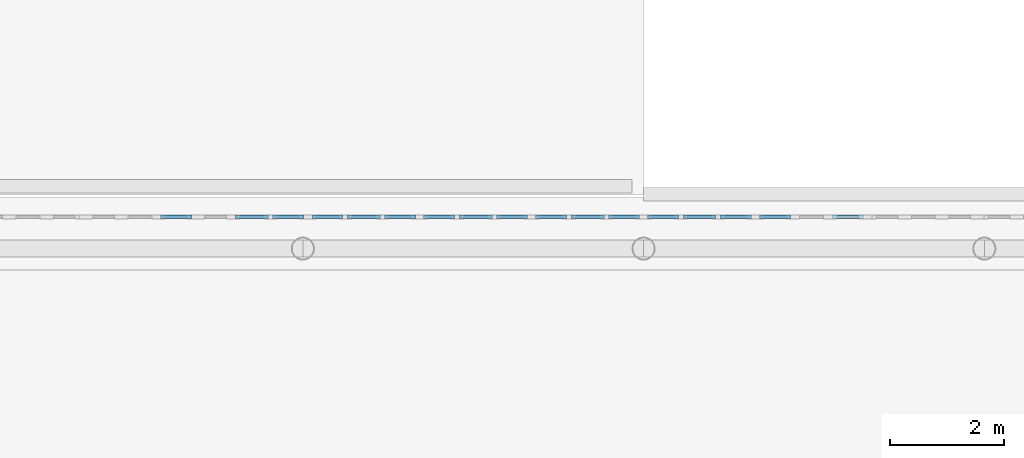
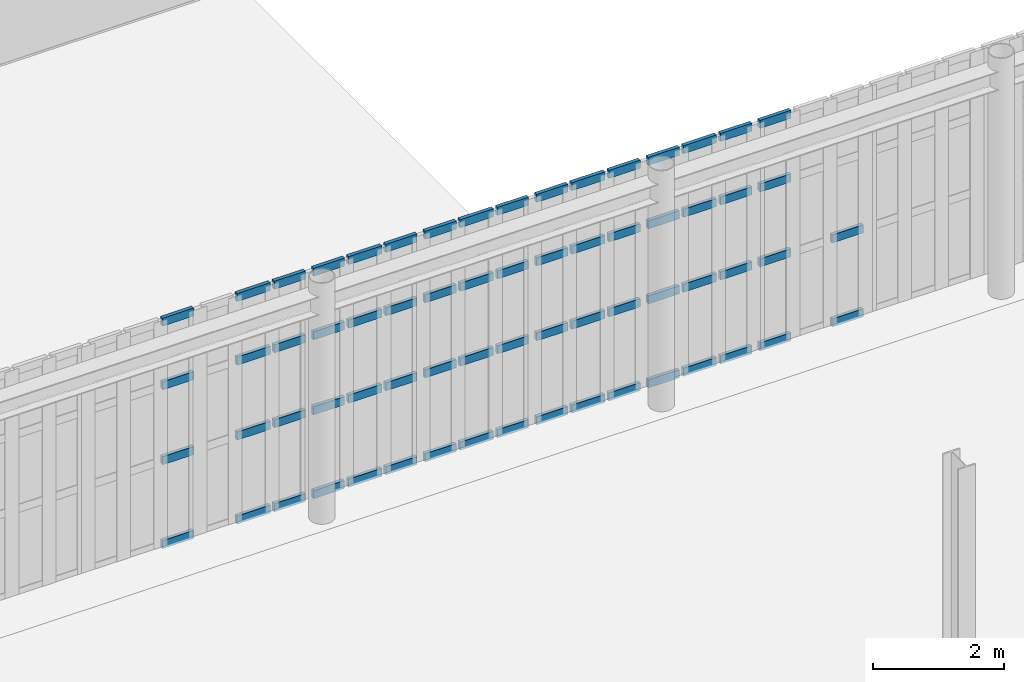
# One storey, part 41 of 91: 66 members, 7 elements without a shape of their own.
"""IFC4 building model written with IfcOpenShell, lengths in metres."""

from ifc_helpers import new_model, si_unit, direction, frame, origin, origin_2d, place, context, subcontext, project, spatial, rectangle, extrude, material, material_profile, profile_set, type_object, element, aggregate, save


model = new_model("IFC4")

# Units and contexts
model_context = context("Model", 3, precision=1e-05, world=origin(), true_north=direction((0.0, 1.0)))
body_context = subcontext(model_context, "Body", "Model", "MODEL_VIEW")
ifc_project = project(units=[si_unit("LENGTHUNIT", "METRE"), si_unit("AREAUNIT", "SQUARE_METRE"), si_unit("VOLUMEUNIT", "CUBIC_METRE"), si_unit("PLANEANGLEUNIT", "RADIAN"), si_unit("MASSUNIT", "GRAM", prefix="KILO")], contexts=[model_context])

# Site, building, storey
site_placement = place(None, origin())
site = spatial("IfcSite", under=ifc_project, at=site_placement, CompositionType="ELEMENT")
building_placement = place(site_placement, origin())
building = spatial("IfcBuilding", under=site, at=building_placement, Name="Kolvaren Corner Interchange", CompositionType="ELEMENT")
storey_placement = place(building_placement, frame((0.0, 0.0, 6.0)))
storey = spatial("IfcBuildingStorey", under=building, at=storey_placement, Name="L02", CompositionType="ELEMENT", Elevation=6.0)

# Curtain wall, members
ifc_material_1 = material(Name="Unitised Aluminium and Solar-Control Glass Curtain Wall", Category="aluminium")
curtain_wall_type = type_object("IfcCurtainWallType", Name="CW-V1-NORTH", PredefinedType="NOTDEFINED", material=ifc_material_1)
curtain_wall_1_placement = place(storey_placement, origin())
curtain_wall_1 = element("IfcCurtainWall", 1, at=curtain_wall_1_placement, inside=storey, type_object=curtain_wall_type, Name="North Concourse Gallery Curtain Wall Bay 11", PredefinedType="NOTDEFINED")
ifc_material_2 = material(Name="Anodised Aluminium Framing", Category="aluminium")
ifc_material_profile = material_profile(ifc_material_2, rectangle(XDim=0.06494140625, YDim=0.14990234375, at=origin_2d()), Name="ALU 65x150")
ifc_profile_set = profile_set([ifc_material_profile], Name="Anodised Aluminium Framing")
member_type = type_object("IfcMemberType", Name="TRN-ALU65x150", PredefinedType="USERDEFINED", material=ifc_profile_set)
member_1_placement = place(storey_placement, frame((99.87158203125, 71.659912109375, 0.032470703125), z_axis=(-1.0, 0.0, 0.0), x_axis=(0.0, -1.0, 0.0)))
member_1 = element("IfcMember", 2, at=member_1_placement, type_object=member_type, Name="CW-068 transom 1.1", ObjectType="TRANSOM", PredefinedType="USERDEFINED", context=body_context, shape_type="SweptSolid", body=[
    extrude(rectangle(XDim=0.06494140625, YDim=0.14990234375, at=origin_2d()), origin(), (0.0, 0.0, 1.0), 0.5517578125),
])
member_2_placement = place(storey_placement, frame((99.87158203125, 71.659912109375, 1.60009765625), z_axis=(-1.0, 0.0, 0.0), x_axis=(0.0, -1.0, 0.0)))
member_2 = element("IfcMember", 3, at=member_2_placement, type_object=member_type, Name="CW-068 transom 1.2", ObjectType="TRANSOM", PredefinedType="USERDEFINED", context=body_context, shape_type="SweptSolid", body=[
    extrude(rectangle(XDim=0.06494140625, YDim=0.14990234375, at=origin_2d()), origin(), (0.0, 0.0, 1.0), 0.5517578125),
])
member_3_placement = place(storey_placement, frame((98.5927734375, 71.659912109375, 0.032470703125), z_axis=(-1.0, 0.0, 0.0), x_axis=(0.0, -1.0, 0.0)))
member_3 = element("IfcMember", 4, at=member_3_placement, type_object=member_type, Name="CW-068 transom 3.1", ObjectType="TRANSOM", PredefinedType="USERDEFINED", context=body_context, shape_type="SweptSolid", body=[
    extrude(rectangle(XDim=0.06494140625, YDim=0.14990234375, at=origin_2d()), origin(), (0.0, 0.0, 1.0), 0.552001953125),
])
member_4_placement = place(storey_placement, frame((98.5927734375, 71.659912109375, 1.60009765625), z_axis=(-1.0, 0.0, 0.0), x_axis=(0.0, -1.0, 0.0)))
member_4 = element("IfcMember", 5, at=member_4_placement, type_object=member_type, Name="CW-068 transom 3.2", ObjectType="TRANSOM", PredefinedType="USERDEFINED", context=body_context, shape_type="SweptSolid", body=[
    extrude(rectangle(XDim=0.06494140625, YDim=0.14990234375, at=origin_2d()), origin(), (0.0, 0.0, 1.0), 0.552001953125),
])
member_5_placement = place(storey_placement, frame((98.5927734375, 71.659912109375, 3.0), z_axis=(-1.0, 0.0, 0.0), x_axis=(0.0, -1.0, 0.0)))
member_5 = element("IfcMember", 6, at=member_5_placement, type_object=member_type, Name="CW-068 transom 3.3", ObjectType="TRANSOM", PredefinedType="USERDEFINED", context=body_context, shape_type="SweptSolid", body=[
    extrude(rectangle(XDim=0.06494140625, YDim=0.14990234375, at=origin_2d()), origin(), (0.0, 0.0, 1.0), 0.552001953125),
])
member_6_placement = place(storey_placement, frame((98.5927734375, 71.659912109375, 4.1875), z_axis=(-1.0, 0.0, 0.0), x_axis=(0.0, -1.0, 0.0)))
member_6 = element("IfcMember", 7, at=member_6_placement, type_object=member_type, Name="CW-068 transom 3.4", ObjectType="TRANSOM", PredefinedType="USERDEFINED", context=body_context, shape_type="SweptSolid", body=[
    extrude(rectangle(XDim=0.06494140625, YDim=0.14990234375, at=origin_2d()), origin(), (0.0, 0.0, 1.0), 0.552001953125),
])
aggregate(curtain_wall_1, [member_1, member_2, member_3, member_4, member_5, member_6])

curtain_wall_2_placement = place(storey_placement, origin())
curtain_wall_2 = element("IfcCurtainWall", 8, at=curtain_wall_2_placement, inside=storey, type_object=curtain_wall_type, Name="North Concourse Gallery Curtain Wall Bay 12", PredefinedType="NOTDEFINED")
member_7_placement = place(storey_placement, frame((97.90087890625, 71.659912109375, 0.032470703125), z_axis=(-1.0, 0.0, 0.0), x_axis=(0.0, -1.0, 0.0)))
member_7 = element("IfcMember", 9, at=member_7_placement, type_object=member_type, Name="CW-069 transom 1.1", ObjectType="TRANSOM", PredefinedType="USERDEFINED", context=body_context, shape_type="SweptSolid", body=[
    extrude(rectangle(XDim=0.06494140625, YDim=0.14990234375, at=origin_2d()), origin(), (0.0, 0.0, 1.0), 0.552001953125),
])
member_8_placement = place(storey_placement, frame((97.90087890625, 71.659912109375, 1.60009765625), z_axis=(-1.0, 0.0, 0.0), x_axis=(0.0, -1.0, 0.0)))
member_8 = element("IfcMember", 10, at=member_8_placement, type_object=member_type, Name="CW-069 transom 1.2", ObjectType="TRANSOM", PredefinedType="USERDEFINED", context=body_context, shape_type="SweptSolid", body=[
    extrude(rectangle(XDim=0.06494140625, YDim=0.14990234375, at=origin_2d()), origin(), (0.0, 0.0, 1.0), 0.552001953125),
])
member_9_placement = place(storey_placement, frame((97.90087890625, 71.659912109375, 3.0), z_axis=(-1.0, 0.0, 0.0), x_axis=(0.0, -1.0, 0.0)))
member_9 = element("IfcMember", 11, at=member_9_placement, type_object=member_type, Name="CW-069 transom 1.3", ObjectType="TRANSOM", PredefinedType="USERDEFINED", context=body_context, shape_type="SweptSolid", body=[
    extrude(rectangle(XDim=0.06494140625, YDim=0.14990234375, at=origin_2d()), origin(), (0.0, 0.0, 1.0), 0.552001953125),
])
member_10_placement = place(storey_placement, frame((97.90087890625, 71.659912109375, 4.1875), z_axis=(-1.0, 0.0, 0.0), x_axis=(0.0, -1.0, 0.0)))
member_10 = element("IfcMember", 12, at=member_10_placement, type_object=member_type, Name="CW-069 transom 1.4", ObjectType="TRANSOM", PredefinedType="USERDEFINED", context=body_context, shape_type="SweptSolid", body=[
    extrude(rectangle(XDim=0.06494140625, YDim=0.14990234375, at=origin_2d()), origin(), (0.0, 0.0, 1.0), 0.552001953125),
])
member_11_placement = place(storey_placement, frame((97.27880859375, 71.659912109375, 0.032470703125), z_axis=(-1.0, 0.0, 0.0), x_axis=(0.0, -1.0, 0.0)))
member_11 = element("IfcMember", 13, at=member_11_placement, type_object=member_type, Name="CW-069 transom 2.1", ObjectType="TRANSOM", PredefinedType="USERDEFINED", context=body_context, shape_type="SweptSolid", body=[
    extrude(rectangle(XDim=0.06494140625, YDim=0.14990234375, at=origin_2d()), origin(), (0.0, 0.0, 1.0), 0.5869140625),
])
member_12_placement = place(storey_placement, frame((97.27880859375, 71.659912109375, 1.60009765625), z_axis=(-1.0, 0.0, 0.0), x_axis=(0.0, -1.0, 0.0)))
member_12 = element("IfcMember", 14, at=member_12_placement, type_object=member_type, Name="CW-069 transom 2.2", ObjectType="TRANSOM", PredefinedType="USERDEFINED", context=body_context, shape_type="SweptSolid", body=[
    extrude(rectangle(XDim=0.06494140625, YDim=0.14990234375, at=origin_2d()), origin(), (0.0, 0.0, 1.0), 0.5869140625),
])
member_13_placement = place(storey_placement, frame((97.27880859375, 71.659912109375, 3.0), z_axis=(-1.0, 0.0, 0.0), x_axis=(0.0, -1.0, 0.0)))
member_13 = element("IfcMember", 15, at=member_13_placement, type_object=member_type, Name="CW-069 transom 2.3", ObjectType="TRANSOM", PredefinedType="USERDEFINED", context=body_context, shape_type="SweptSolid", body=[
    extrude(rectangle(XDim=0.06494140625, YDim=0.14990234375, at=origin_2d()), origin(), (0.0, 0.0, 1.0), 0.5869140625),
])
member_14_placement = place(storey_placement, frame((97.27880859375, 71.659912109375, 4.1875), z_axis=(-1.0, 0.0, 0.0), x_axis=(0.0, -1.0, 0.0)))
member_14 = element("IfcMember", 16, at=member_14_placement, type_object=member_type, Name="CW-069 transom 2.4", ObjectType="TRANSOM", PredefinedType="USERDEFINED", context=body_context, shape_type="SweptSolid", body=[
    extrude(rectangle(XDim=0.06494140625, YDim=0.14990234375, at=origin_2d()), origin(), (0.0, 0.0, 1.0), 0.5869140625),
])
member_15_placement = place(storey_placement, frame((96.621826171875, 71.659912109375, 0.032470703125), z_axis=(-1.0, 0.0, 0.0), x_axis=(0.0, -1.0, 0.0)))
member_15 = element("IfcMember", 17, at=member_15_placement, type_object=member_type, Name="CW-069 transom 3.1", ObjectType="TRANSOM", PredefinedType="USERDEFINED", context=body_context, shape_type="SweptSolid", body=[
    extrude(rectangle(XDim=0.06494140625, YDim=0.14990234375, at=origin_2d()), origin(), (0.0, 0.0, 1.0), 0.5517578125),
])
member_16_placement = place(storey_placement, frame((96.621826171875, 71.659912109375, 1.60009765625), z_axis=(-1.0, 0.0, 0.0), x_axis=(0.0, -1.0, 0.0)))
member_16 = element("IfcMember", 18, at=member_16_placement, type_object=member_type, Name="CW-069 transom 3.2", ObjectType="TRANSOM", PredefinedType="USERDEFINED", context=body_context, shape_type="SweptSolid", body=[
    extrude(rectangle(XDim=0.06494140625, YDim=0.14990234375, at=origin_2d()), origin(), (0.0, 0.0, 1.0), 0.5517578125),
])
member_17_placement = place(storey_placement, frame((96.621826171875, 71.659912109375, 3.0), z_axis=(-1.0, 0.0, 0.0), x_axis=(0.0, -1.0, 0.0)))
member_17 = element("IfcMember", 19, at=member_17_placement, type_object=member_type, Name="CW-069 transom 3.3", ObjectType="TRANSOM", PredefinedType="USERDEFINED", context=body_context, shape_type="SweptSolid", body=[
    extrude(rectangle(XDim=0.06494140625, YDim=0.14990234375, at=origin_2d()), origin(), (0.0, 0.0, 1.0), 0.5517578125),
])
member_18_placement = place(storey_placement, frame((96.621826171875, 71.659912109375, 4.1875), z_axis=(-1.0, 0.0, 0.0), x_axis=(0.0, -1.0, 0.0)))
member_18 = element("IfcMember", 20, at=member_18_placement, type_object=member_type, Name="CW-069 transom 3.4", ObjectType="TRANSOM", PredefinedType="USERDEFINED", context=body_context, shape_type="SweptSolid", body=[
    extrude(rectangle(XDim=0.06494140625, YDim=0.14990234375, at=origin_2d()), origin(), (0.0, 0.0, 1.0), 0.5517578125),
])
aggregate(curtain_wall_2, [member_7, member_8, member_9, member_10, member_11, member_12, member_13, member_14, member_15, member_16, member_17, member_18])

curtain_wall_3_placement = place(storey_placement, origin())
curtain_wall_3 = element("IfcCurtainWall", 21, at=curtain_wall_3_placement, inside=storey, type_object=curtain_wall_type, Name="North Concourse Gallery Curtain Wall Bay 13", PredefinedType="NOTDEFINED")
member_19_placement = place(storey_placement, frame((95.929931640625, 71.659912109375, 0.032470703125), z_axis=(-1.0, 0.0, 0.0), x_axis=(0.0, -1.0, 0.0)))
member_19 = element("IfcMember", 22, at=member_19_placement, type_object=member_type, Name="CW-070 transom 1.1", ObjectType="TRANSOM", PredefinedType="USERDEFINED", context=body_context, shape_type="SweptSolid", body=[
    extrude(rectangle(XDim=0.06494140625, YDim=0.14990234375, at=origin_2d()), origin(), (0.0, 0.0, 1.0), 0.5517578125),
])
member_20_placement = place(storey_placement, frame((95.929931640625, 71.659912109375, 1.60009765625), z_axis=(-1.0, 0.0, 0.0), x_axis=(0.0, -1.0, 0.0)))
member_20 = element("IfcMember", 23, at=member_20_placement, type_object=member_type, Name="CW-070 transom 1.2", ObjectType="TRANSOM", PredefinedType="USERDEFINED", context=body_context, shape_type="SweptSolid", body=[
    extrude(rectangle(XDim=0.06494140625, YDim=0.14990234375, at=origin_2d()), origin(), (0.0, 0.0, 1.0), 0.5517578125),
])
member_21_placement = place(storey_placement, frame((95.929931640625, 71.659912109375, 3.0), z_axis=(-1.0, 0.0, 0.0), x_axis=(0.0, -1.0, 0.0)))
member_21 = element("IfcMember", 24, at=member_21_placement, type_object=member_type, Name="CW-070 transom 1.3", ObjectType="TRANSOM", PredefinedType="USERDEFINED", context=body_context, shape_type="SweptSolid", body=[
    extrude(rectangle(XDim=0.06494140625, YDim=0.14990234375, at=origin_2d()), origin(), (0.0, 0.0, 1.0), 0.5517578125),
])
member_22_placement = place(storey_placement, frame((95.929931640625, 71.659912109375, 4.1875), z_axis=(-1.0, 0.0, 0.0), x_axis=(0.0, -1.0, 0.0)))
member_22 = element("IfcMember", 25, at=member_22_placement, type_object=member_type, Name="CW-070 transom 1.4", ObjectType="TRANSOM", PredefinedType="USERDEFINED", context=body_context, shape_type="SweptSolid", body=[
    extrude(rectangle(XDim=0.06494140625, YDim=0.14990234375, at=origin_2d()), origin(), (0.0, 0.0, 1.0), 0.5517578125),
])
member_23_placement = place(storey_placement, frame((95.30810546875, 71.659912109375, 0.032470703125), z_axis=(-1.0, 0.0, 0.0), x_axis=(0.0, -1.0, 0.0)))
member_23 = element("IfcMember", 26, at=member_23_placement, type_object=member_type, Name="CW-070 transom 2.1", ObjectType="TRANSOM", PredefinedType="USERDEFINED", context=body_context, shape_type="SweptSolid", body=[
    extrude(rectangle(XDim=0.06494140625, YDim=0.14990234375, at=origin_2d()), origin(), (0.0, 0.0, 1.0), 0.5869140625),
])
member_24_placement = place(storey_placement, frame((95.30810546875, 71.659912109375, 1.60009765625), z_axis=(-1.0, 0.0, 0.0), x_axis=(0.0, -1.0, 0.0)))
member_24 = element("IfcMember", 27, at=member_24_placement, type_object=member_type, Name="CW-070 transom 2.2", ObjectType="TRANSOM", PredefinedType="USERDEFINED", context=body_context, shape_type="SweptSolid", body=[
    extrude(rectangle(XDim=0.06494140625, YDim=0.14990234375, at=origin_2d()), origin(), (0.0, 0.0, 1.0), 0.5869140625),
])
member_25_placement = place(storey_placement, frame((95.30810546875, 71.659912109375, 3.0), z_axis=(-1.0, 0.0, 0.0), x_axis=(0.0, -1.0, 0.0)))
member_25 = element("IfcMember", 28, at=member_25_placement, type_object=member_type, Name="CW-070 transom 2.3", ObjectType="TRANSOM", PredefinedType="USERDEFINED", context=body_context, shape_type="SweptSolid", body=[
    extrude(rectangle(XDim=0.06494140625, YDim=0.14990234375, at=origin_2d()), origin(), (0.0, 0.0, 1.0), 0.5869140625),
])
member_26_placement = place(storey_placement, frame((95.30810546875, 71.659912109375, 4.1875), z_axis=(-1.0, 0.0, 0.0), x_axis=(0.0, -1.0, 0.0)))
member_26 = element("IfcMember", 29, at=member_26_placement, type_object=member_type, Name="CW-070 transom 2.4", ObjectType="TRANSOM", PredefinedType="USERDEFINED", context=body_context, shape_type="SweptSolid", body=[
    extrude(rectangle(XDim=0.06494140625, YDim=0.14990234375, at=origin_2d()), origin(), (0.0, 0.0, 1.0), 0.5869140625),
])
member_27_placement = place(storey_placement, frame((94.651123046875, 71.659912109375, 0.032470703125), z_axis=(-1.0, 0.0, 0.0), x_axis=(0.0, -1.0, 0.0)))
member_27 = element("IfcMember", 30, at=member_27_placement, type_object=member_type, Name="CW-070 transom 3.1", ObjectType="TRANSOM", PredefinedType="USERDEFINED", context=body_context, shape_type="SweptSolid", body=[
    extrude(rectangle(XDim=0.06494140625, YDim=0.14990234375, at=origin_2d()), origin(), (0.0, 0.0, 1.0), 0.552001953125),
])
member_28_placement = place(storey_placement, frame((94.651123046875, 71.659912109375, 1.60009765625), z_axis=(-1.0, 0.0, 0.0), x_axis=(0.0, -1.0, 0.0)))
member_28 = element("IfcMember", 31, at=member_28_placement, type_object=member_type, Name="CW-070 transom 3.2", ObjectType="TRANSOM", PredefinedType="USERDEFINED", context=body_context, shape_type="SweptSolid", body=[
    extrude(rectangle(XDim=0.06494140625, YDim=0.14990234375, at=origin_2d()), origin(), (0.0, 0.0, 1.0), 0.552001953125),
])
member_29_placement = place(storey_placement, frame((94.651123046875, 71.659912109375, 3.0), z_axis=(-1.0, 0.0, 0.0), x_axis=(0.0, -1.0, 0.0)))
member_29 = element("IfcMember", 32, at=member_29_placement, type_object=member_type, Name="CW-070 transom 3.3", ObjectType="TRANSOM", PredefinedType="USERDEFINED", context=body_context, shape_type="SweptSolid", body=[
    extrude(rectangle(XDim=0.06494140625, YDim=0.14990234375, at=origin_2d()), origin(), (0.0, 0.0, 1.0), 0.552001953125),
])
member_30_placement = place(storey_placement, frame((94.651123046875, 71.659912109375, 4.1875), z_axis=(-1.0, 0.0, 0.0), x_axis=(0.0, -1.0, 0.0)))
member_30 = element("IfcMember", 33, at=member_30_placement, type_object=member_type, Name="CW-070 transom 3.4", ObjectType="TRANSOM", PredefinedType="USERDEFINED", context=body_context, shape_type="SweptSolid", body=[
    extrude(rectangle(XDim=0.06494140625, YDim=0.14990234375, at=origin_2d()), origin(), (0.0, 0.0, 1.0), 0.552001953125),
])
aggregate(curtain_wall_3, [member_19, member_20, member_21, member_22, member_23, member_24, member_25, member_26, member_27, member_28, member_29, member_30])

curtain_wall_4_placement = place(storey_placement, origin())
curtain_wall_4 = element("IfcCurtainWall", 34, at=curtain_wall_4_placement, inside=storey, type_object=curtain_wall_type, Name="North Concourse Gallery Curtain Wall Bay 14", PredefinedType="NOTDEFINED")
member_31_placement = place(storey_placement, frame((93.959228515625, 71.659912109375, 0.032470703125), z_axis=(-1.0, 0.0, 0.0), x_axis=(0.0, -1.0, 0.0)))
member_31 = element("IfcMember", 35, at=member_31_placement, type_object=member_type, Name="CW-071 transom 1.1", ObjectType="TRANSOM", PredefinedType="USERDEFINED", context=body_context, shape_type="SweptSolid", body=[
    extrude(rectangle(XDim=0.06494140625, YDim=0.14990234375, at=origin_2d()), origin(), (0.0, 0.0, 1.0), 0.552001953125),
])
member_32_placement = place(storey_placement, frame((93.959228515625, 71.659912109375, 1.60009765625), z_axis=(-1.0, 0.0, 0.0), x_axis=(0.0, -1.0, 0.0)))
member_32 = element("IfcMember", 36, at=member_32_placement, type_object=member_type, Name="CW-071 transom 1.2", ObjectType="TRANSOM", PredefinedType="USERDEFINED", context=body_context, shape_type="SweptSolid", body=[
    extrude(rectangle(XDim=0.06494140625, YDim=0.14990234375, at=origin_2d()), origin(), (0.0, 0.0, 1.0), 0.552001953125),
])
member_33_placement = place(storey_placement, frame((93.959228515625, 71.659912109375, 3.0), z_axis=(-1.0, 0.0, 0.0), x_axis=(0.0, -1.0, 0.0)))
member_33 = element("IfcMember", 37, at=member_33_placement, type_object=member_type, Name="CW-071 transom 1.3", ObjectType="TRANSOM", PredefinedType="USERDEFINED", context=body_context, shape_type="SweptSolid", body=[
    extrude(rectangle(XDim=0.06494140625, YDim=0.14990234375, at=origin_2d()), origin(), (0.0, 0.0, 1.0), 0.552001953125),
])
member_34_placement = place(storey_placement, frame((93.959228515625, 71.659912109375, 4.1875), z_axis=(-1.0, 0.0, 0.0), x_axis=(0.0, -1.0, 0.0)))
member_34 = element("IfcMember", 38, at=member_34_placement, type_object=member_type, Name="CW-071 transom 1.4", ObjectType="TRANSOM", PredefinedType="USERDEFINED", context=body_context, shape_type="SweptSolid", body=[
    extrude(rectangle(XDim=0.06494140625, YDim=0.14990234375, at=origin_2d()), origin(), (0.0, 0.0, 1.0), 0.552001953125),
])
member_35_placement = place(storey_placement, frame((93.337158203125, 71.659912109375, 0.032470703125), z_axis=(-1.0, 0.0, 0.0), x_axis=(0.0, -1.0, 0.0)))
member_35 = element("IfcMember", 39, at=member_35_placement, type_object=member_type, Name="CW-071 transom 2.1", ObjectType="TRANSOM", PredefinedType="USERDEFINED", context=body_context, shape_type="SweptSolid", body=[
    extrude(rectangle(XDim=0.06494140625, YDim=0.14990234375, at=origin_2d()), origin(), (0.0, 0.0, 1.0), 0.5869140625),
])
member_36_placement = place(storey_placement, frame((93.337158203125, 71.659912109375, 1.60009765625), z_axis=(-1.0, 0.0, 0.0), x_axis=(0.0, -1.0, 0.0)))
member_36 = element("IfcMember", 40, at=member_36_placement, type_object=member_type, Name="CW-071 transom 2.2", ObjectType="TRANSOM", PredefinedType="USERDEFINED", context=body_context, shape_type="SweptSolid", body=[
    extrude(rectangle(XDim=0.06494140625, YDim=0.14990234375, at=origin_2d()), origin(), (0.0, 0.0, 1.0), 0.5869140625),
])
member_37_placement = place(storey_placement, frame((93.337158203125, 71.659912109375, 3.0), z_axis=(-1.0, 0.0, 0.0), x_axis=(0.0, -1.0, 0.0)))
member_37 = element("IfcMember", 41, at=member_37_placement, type_object=member_type, Name="CW-071 transom 2.3", ObjectType="TRANSOM", PredefinedType="USERDEFINED", context=body_context, shape_type="SweptSolid", body=[
    extrude(rectangle(XDim=0.06494140625, YDim=0.14990234375, at=origin_2d()), origin(), (0.0, 0.0, 1.0), 0.5869140625),
])
member_38_placement = place(storey_placement, frame((93.337158203125, 71.659912109375, 4.1875), z_axis=(-1.0, 0.0, 0.0), x_axis=(0.0, -1.0, 0.0)))
member_38 = element("IfcMember", 42, at=member_38_placement, type_object=member_type, Name="CW-071 transom 2.4", ObjectType="TRANSOM", PredefinedType="USERDEFINED", context=body_context, shape_type="SweptSolid", body=[
    extrude(rectangle(XDim=0.06494140625, YDim=0.14990234375, at=origin_2d()), origin(), (0.0, 0.0, 1.0), 0.5869140625),
])
member_39_placement = place(storey_placement, frame((92.68017578125, 71.659912109375, 0.032470703125), z_axis=(-1.0, 0.0, 0.0), x_axis=(0.0, -1.0, 0.0)))
member_39 = element("IfcMember", 43, at=member_39_placement, type_object=member_type, Name="CW-071 transom 3.1", ObjectType="TRANSOM", PredefinedType="USERDEFINED", context=body_context, shape_type="SweptSolid", body=[
    extrude(rectangle(XDim=0.06494140625, YDim=0.14990234375, at=origin_2d()), origin(), (0.0, 0.0, 1.0), 0.5517578125),
])
member_40_placement = place(storey_placement, frame((92.68017578125, 71.659912109375, 1.60009765625), z_axis=(-1.0, 0.0, 0.0), x_axis=(0.0, -1.0, 0.0)))
member_40 = element("IfcMember", 44, at=member_40_placement, type_object=member_type, Name="CW-071 transom 3.2", ObjectType="TRANSOM", PredefinedType="USERDEFINED", context=body_context, shape_type="SweptSolid", body=[
    extrude(rectangle(XDim=0.06494140625, YDim=0.14990234375, at=origin_2d()), origin(), (0.0, 0.0, 1.0), 0.5517578125),
])
member_41_placement = place(storey_placement, frame((92.68017578125, 71.659912109375, 3.0), z_axis=(-1.0, 0.0, 0.0), x_axis=(0.0, -1.0, 0.0)))
member_41 = element("IfcMember", 45, at=member_41_placement, type_object=member_type, Name="CW-071 transom 3.3", ObjectType="TRANSOM", PredefinedType="USERDEFINED", context=body_context, shape_type="SweptSolid", body=[
    extrude(rectangle(XDim=0.06494140625, YDim=0.14990234375, at=origin_2d()), origin(), (0.0, 0.0, 1.0), 0.5517578125),
])
member_42_placement = place(storey_placement, frame((92.68017578125, 71.659912109375, 4.1875), z_axis=(-1.0, 0.0, 0.0), x_axis=(0.0, -1.0, 0.0)))
member_42 = element("IfcMember", 46, at=member_42_placement, type_object=member_type, Name="CW-071 transom 3.4", ObjectType="TRANSOM", PredefinedType="USERDEFINED", context=body_context, shape_type="SweptSolid", body=[
    extrude(rectangle(XDim=0.06494140625, YDim=0.14990234375, at=origin_2d()), origin(), (0.0, 0.0, 1.0), 0.5517578125),
])
aggregate(curtain_wall_4, [member_31, member_32, member_33, member_34, member_35, member_36, member_37, member_38, member_39, member_40, member_41, member_42])

curtain_wall_5_placement = place(storey_placement, origin())
curtain_wall_5 = element("IfcCurtainWall", 47, at=curtain_wall_5_placement, inside=storey, type_object=curtain_wall_type, Name="North Concourse Gallery Curtain Wall Bay 15", PredefinedType="NOTDEFINED")
member_43_placement = place(storey_placement, frame((91.98828125, 71.659912109375, 0.032470703125), z_axis=(-1.0, 0.0, 0.0), x_axis=(0.0, -1.0, 0.0)))
member_43 = element("IfcMember", 48, at=member_43_placement, type_object=member_type, Name="CW-072 transom 1.1", ObjectType="TRANSOM", PredefinedType="USERDEFINED", context=body_context, shape_type="SweptSolid", body=[
    extrude(rectangle(XDim=0.06494140625, YDim=0.14990234375, at=origin_2d()), origin(), (0.0, 0.0, 1.0), 0.552001953125),
])
member_44_placement = place(storey_placement, frame((91.98828125, 71.659912109375, 1.60009765625), z_axis=(-1.0, 0.0, 0.0), x_axis=(0.0, -1.0, 0.0)))
member_44 = element("IfcMember", 49, at=member_44_placement, type_object=member_type, Name="CW-072 transom 1.2", ObjectType="TRANSOM", PredefinedType="USERDEFINED", context=body_context, shape_type="SweptSolid", body=[
    extrude(rectangle(XDim=0.06494140625, YDim=0.14990234375, at=origin_2d()), origin(), (0.0, 0.0, 1.0), 0.552001953125),
])
member_45_placement = place(storey_placement, frame((91.98828125, 71.659912109375, 3.0), z_axis=(-1.0, 0.0, 0.0), x_axis=(0.0, -1.0, 0.0)))
member_45 = element("IfcMember", 50, at=member_45_placement, type_object=member_type, Name="CW-072 transom 1.3", ObjectType="TRANSOM", PredefinedType="USERDEFINED", context=body_context, shape_type="SweptSolid", body=[
    extrude(rectangle(XDim=0.06494140625, YDim=0.14990234375, at=origin_2d()), origin(), (0.0, 0.0, 1.0), 0.552001953125),
])
member_46_placement = place(storey_placement, frame((91.98828125, 71.659912109375, 4.1875), z_axis=(-1.0, 0.0, 0.0), x_axis=(0.0, -1.0, 0.0)))
member_46 = element("IfcMember", 51, at=member_46_placement, type_object=member_type, Name="CW-072 transom 1.4", ObjectType="TRANSOM", PredefinedType="USERDEFINED", context=body_context, shape_type="SweptSolid", body=[
    extrude(rectangle(XDim=0.06494140625, YDim=0.14990234375, at=origin_2d()), origin(), (0.0, 0.0, 1.0), 0.552001953125),
])
member_47_placement = place(storey_placement, frame((91.366455078125, 71.659912109375, 0.032470703125), z_axis=(-1.0, 0.0, 0.0), x_axis=(0.0, -1.0, 0.0)))
member_47 = element("IfcMember", 52, at=member_47_placement, type_object=member_type, Name="CW-072 transom 2.1", ObjectType="TRANSOM", PredefinedType="USERDEFINED", context=body_context, shape_type="SweptSolid", body=[
    extrude(rectangle(XDim=0.06494140625, YDim=0.14990234375, at=origin_2d()), origin(), (0.0, 0.0, 1.0), 0.5869140625),
])
member_48_placement = place(storey_placement, frame((91.366455078125, 71.659912109375, 1.60009765625), z_axis=(-1.0, 0.0, 0.0), x_axis=(0.0, -1.0, 0.0)))
member_48 = element("IfcMember", 53, at=member_48_placement, type_object=member_type, Name="CW-072 transom 2.2", ObjectType="TRANSOM", PredefinedType="USERDEFINED", context=body_context, shape_type="SweptSolid", body=[
    extrude(rectangle(XDim=0.06494140625, YDim=0.14990234375, at=origin_2d()), origin(), (0.0, 0.0, 1.0), 0.5869140625),
])
member_49_placement = place(storey_placement, frame((91.366455078125, 71.659912109375, 3.0), z_axis=(-1.0, 0.0, 0.0), x_axis=(0.0, -1.0, 0.0)))
member_49 = element("IfcMember", 54, at=member_49_placement, type_object=member_type, Name="CW-072 transom 2.3", ObjectType="TRANSOM", PredefinedType="USERDEFINED", context=body_context, shape_type="SweptSolid", body=[
    extrude(rectangle(XDim=0.06494140625, YDim=0.14990234375, at=origin_2d()), origin(), (0.0, 0.0, 1.0), 0.5869140625),
])
member_50_placement = place(storey_placement, frame((91.366455078125, 71.659912109375, 4.1875), z_axis=(-1.0, 0.0, 0.0), x_axis=(0.0, -1.0, 0.0)))
member_50 = element("IfcMember", 55, at=member_50_placement, type_object=member_type, Name="CW-072 transom 2.4", ObjectType="TRANSOM", PredefinedType="USERDEFINED", context=body_context, shape_type="SweptSolid", body=[
    extrude(rectangle(XDim=0.06494140625, YDim=0.14990234375, at=origin_2d()), origin(), (0.0, 0.0, 1.0), 0.5869140625),
])
member_51_placement = place(storey_placement, frame((90.70947265625, 71.659912109375, 0.032470703125), z_axis=(-1.0, 0.0, 0.0), x_axis=(0.0, -1.0, 0.0)))
member_51 = element("IfcMember", 56, at=member_51_placement, type_object=member_type, Name="CW-072 transom 3.1", ObjectType="TRANSOM", PredefinedType="USERDEFINED", context=body_context, shape_type="SweptSolid", body=[
    extrude(rectangle(XDim=0.06494140625, YDim=0.14990234375, at=origin_2d()), origin(), (0.0, 0.0, 1.0), 0.552001953125),
])
member_52_placement = place(storey_placement, frame((90.70947265625, 71.659912109375, 1.60009765625), z_axis=(-1.0, 0.0, 0.0), x_axis=(0.0, -1.0, 0.0)))
member_52 = element("IfcMember", 57, at=member_52_placement, type_object=member_type, Name="CW-072 transom 3.2", ObjectType="TRANSOM", PredefinedType="USERDEFINED", context=body_context, shape_type="SweptSolid", body=[
    extrude(rectangle(XDim=0.06494140625, YDim=0.14990234375, at=origin_2d()), origin(), (0.0, 0.0, 1.0), 0.552001953125),
])
member_53_placement = place(storey_placement, frame((90.70947265625, 71.659912109375, 3.0), z_axis=(-1.0, 0.0, 0.0), x_axis=(0.0, -1.0, 0.0)))
member_53 = element("IfcMember", 58, at=member_53_placement, type_object=member_type, Name="CW-072 transom 3.3", ObjectType="TRANSOM", PredefinedType="USERDEFINED", context=body_context, shape_type="SweptSolid", body=[
    extrude(rectangle(XDim=0.06494140625, YDim=0.14990234375, at=origin_2d()), origin(), (0.0, 0.0, 1.0), 0.552001953125),
])
member_54_placement = place(storey_placement, frame((90.70947265625, 71.659912109375, 4.1875), z_axis=(-1.0, 0.0, 0.0), x_axis=(0.0, -1.0, 0.0)))
member_54 = element("IfcMember", 59, at=member_54_placement, type_object=member_type, Name="CW-072 transom 3.4", ObjectType="TRANSOM", PredefinedType="USERDEFINED", context=body_context, shape_type="SweptSolid", body=[
    extrude(rectangle(XDim=0.06494140625, YDim=0.14990234375, at=origin_2d()), origin(), (0.0, 0.0, 1.0), 0.552001953125),
])
aggregate(curtain_wall_5, [member_43, member_44, member_45, member_46, member_47, member_48, member_49, member_50, member_51, member_52, member_53, member_54])

curtain_wall_6_placement = place(storey_placement, origin())
curtain_wall_6 = element("IfcCurtainWall", 60, at=curtain_wall_6_placement, inside=storey, type_object=curtain_wall_type, Name="North Concourse Gallery Curtain Wall Bay 16", PredefinedType="NOTDEFINED")
member_55_placement = place(storey_placement, frame((90.017578125, 71.659912109375, 0.032470703125), z_axis=(-1.0, 0.0, 0.0), x_axis=(0.0, -1.0, 0.0)))
member_55 = element("IfcMember", 61, at=member_55_placement, type_object=member_type, Name="CW-073 transom 1.1", ObjectType="TRANSOM", PredefinedType="USERDEFINED", context=body_context, shape_type="SweptSolid", body=[
    extrude(rectangle(XDim=0.06494140625, YDim=0.14990234375, at=origin_2d()), origin(), (0.0, 0.0, 1.0), 0.552001953125),
])
member_56_placement = place(storey_placement, frame((90.017578125, 71.659912109375, 1.60009765625), z_axis=(-1.0, 0.0, 0.0), x_axis=(0.0, -1.0, 0.0)))
member_56 = element("IfcMember", 62, at=member_56_placement, type_object=member_type, Name="CW-073 transom 1.2", ObjectType="TRANSOM", PredefinedType="USERDEFINED", context=body_context, shape_type="SweptSolid", body=[
    extrude(rectangle(XDim=0.06494140625, YDim=0.14990234375, at=origin_2d()), origin(), (0.0, 0.0, 1.0), 0.552001953125),
])
member_57_placement = place(storey_placement, frame((90.017578125, 71.659912109375, 3.0), z_axis=(-1.0, 0.0, 0.0), x_axis=(0.0, -1.0, 0.0)))
member_57 = element("IfcMember", 63, at=member_57_placement, type_object=member_type, Name="CW-073 transom 1.3", ObjectType="TRANSOM", PredefinedType="USERDEFINED", context=body_context, shape_type="SweptSolid", body=[
    extrude(rectangle(XDim=0.06494140625, YDim=0.14990234375, at=origin_2d()), origin(), (0.0, 0.0, 1.0), 0.552001953125),
])
member_58_placement = place(storey_placement, frame((90.017578125, 71.659912109375, 4.1875), z_axis=(-1.0, 0.0, 0.0), x_axis=(0.0, -1.0, 0.0)))
member_58 = element("IfcMember", 64, at=member_58_placement, type_object=member_type, Name="CW-073 transom 1.4", ObjectType="TRANSOM", PredefinedType="USERDEFINED", context=body_context, shape_type="SweptSolid", body=[
    extrude(rectangle(XDim=0.06494140625, YDim=0.14990234375, at=origin_2d()), origin(), (0.0, 0.0, 1.0), 0.552001953125),
])
member_59_placement = place(storey_placement, frame((89.3955078125, 71.659912109375, 0.032470703125), z_axis=(-1.0, 0.0, 0.0), x_axis=(0.0, -1.0, 0.0)))
member_59 = element("IfcMember", 65, at=member_59_placement, type_object=member_type, Name="CW-073 transom 2.1", ObjectType="TRANSOM", PredefinedType="USERDEFINED", context=body_context, shape_type="SweptSolid", body=[
    extrude(rectangle(XDim=0.06494140625, YDim=0.14990234375, at=origin_2d()), origin(), (0.0, 0.0, 1.0), 0.5869140625),
])
member_60_placement = place(storey_placement, frame((89.3955078125, 71.659912109375, 1.60009765625), z_axis=(-1.0, 0.0, 0.0), x_axis=(0.0, -1.0, 0.0)))
member_60 = element("IfcMember", 66, at=member_60_placement, type_object=member_type, Name="CW-073 transom 2.2", ObjectType="TRANSOM", PredefinedType="USERDEFINED", context=body_context, shape_type="SweptSolid", body=[
    extrude(rectangle(XDim=0.06494140625, YDim=0.14990234375, at=origin_2d()), origin(), (0.0, 0.0, 1.0), 0.5869140625),
])
member_61_placement = place(storey_placement, frame((89.3955078125, 71.659912109375, 3.0), z_axis=(-1.0, 0.0, 0.0), x_axis=(0.0, -1.0, 0.0)))
member_61 = element("IfcMember", 67, at=member_61_placement, type_object=member_type, Name="CW-073 transom 2.3", ObjectType="TRANSOM", PredefinedType="USERDEFINED", context=body_context, shape_type="SweptSolid", body=[
    extrude(rectangle(XDim=0.06494140625, YDim=0.14990234375, at=origin_2d()), origin(), (0.0, 0.0, 1.0), 0.5869140625),
])
member_62_placement = place(storey_placement, frame((89.3955078125, 71.659912109375, 4.1875), z_axis=(-1.0, 0.0, 0.0), x_axis=(0.0, -1.0, 0.0)))
member_62 = element("IfcMember", 68, at=member_62_placement, type_object=member_type, Name="CW-073 transom 2.4", ObjectType="TRANSOM", PredefinedType="USERDEFINED", context=body_context, shape_type="SweptSolid", body=[
    extrude(rectangle(XDim=0.06494140625, YDim=0.14990234375, at=origin_2d()), origin(), (0.0, 0.0, 1.0), 0.5869140625),
])
aggregate(curtain_wall_6, [member_55, member_56, member_57, member_58, member_59, member_60, member_61, member_62])

curtain_wall_7_placement = place(storey_placement, origin())
curtain_wall_7 = element("IfcCurtainWall", 69, at=curtain_wall_7_placement, inside=storey, type_object=curtain_wall_type, Name="North Concourse Gallery Curtain Wall Bay 17", PredefinedType="NOTDEFINED")
member_63_placement = place(storey_placement, frame((88.046630859375, 71.659912109375, 0.032470703125), z_axis=(-1.0, 0.0, 0.0), x_axis=(0.0, -1.0, 0.0)))
member_63 = element("IfcMember", 70, at=member_63_placement, type_object=member_type, Name="CW-074 transom 1.1", ObjectType="TRANSOM", PredefinedType="USERDEFINED", context=body_context, shape_type="SweptSolid", body=[
    extrude(rectangle(XDim=0.06494140625, YDim=0.14990234375, at=origin_2d()), origin(), (0.0, 0.0, 1.0), 0.552001953125),
])
member_64_placement = place(storey_placement, frame((88.046630859375, 71.659912109375, 1.60009765625), z_axis=(-1.0, 0.0, 0.0), x_axis=(0.0, -1.0, 0.0)))
member_64 = element("IfcMember", 71, at=member_64_placement, type_object=member_type, Name="CW-074 transom 1.2", ObjectType="TRANSOM", PredefinedType="USERDEFINED", context=body_context, shape_type="SweptSolid", body=[
    extrude(rectangle(XDim=0.06494140625, YDim=0.14990234375, at=origin_2d()), origin(), (0.0, 0.0, 1.0), 0.552001953125),
])
member_65_placement = place(storey_placement, frame((88.046630859375, 71.659912109375, 3.0), z_axis=(-1.0, 0.0, 0.0), x_axis=(0.0, -1.0, 0.0)))
member_65 = element("IfcMember", 72, at=member_65_placement, type_object=member_type, Name="CW-074 transom 1.3", ObjectType="TRANSOM", PredefinedType="USERDEFINED", context=body_context, shape_type="SweptSolid", body=[
    extrude(rectangle(XDim=0.06494140625, YDim=0.14990234375, at=origin_2d()), origin(), (0.0, 0.0, 1.0), 0.552001953125),
])
member_66_placement = place(storey_placement, frame((88.046630859375, 71.659912109375, 4.1875), z_axis=(-1.0, 0.0, 0.0), x_axis=(0.0, -1.0, 0.0)))
member_66 = element("IfcMember", 73, at=member_66_placement, type_object=member_type, Name="CW-074 transom 1.4", ObjectType="TRANSOM", PredefinedType="USERDEFINED", context=body_context, shape_type="SweptSolid", body=[
    extrude(rectangle(XDim=0.06494140625, YDim=0.14990234375, at=origin_2d()), origin(), (0.0, 0.0, 1.0), 0.552001953125),
])
aggregate(curtain_wall_7, [member_63, member_64, member_65, member_66])

save(model, "model.ifc")
